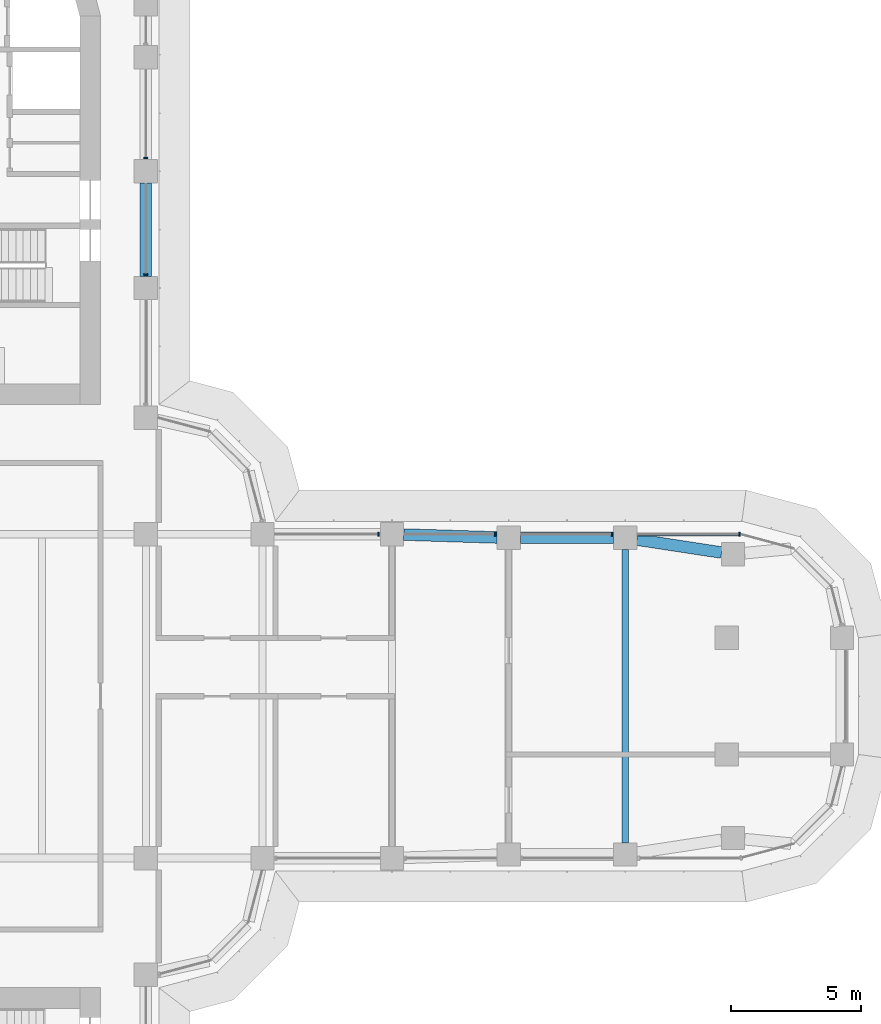
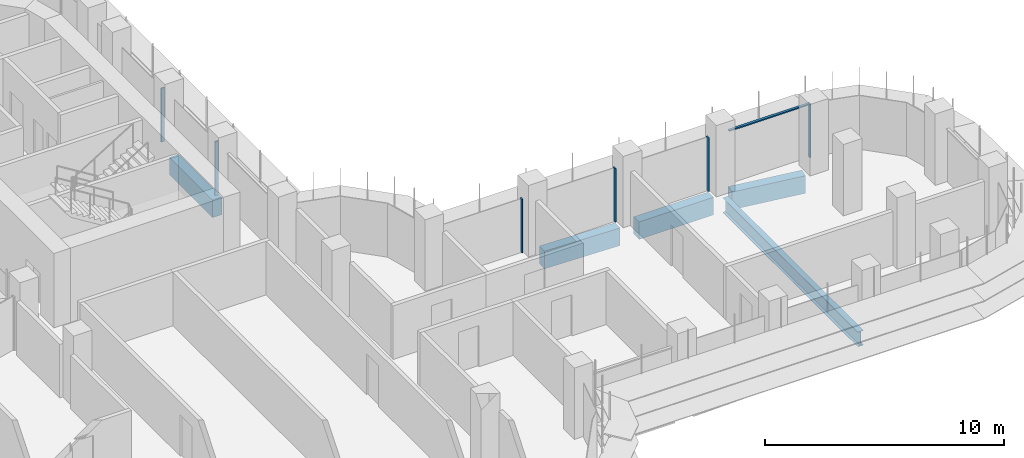
# One storey, part 9 of 23: 7 members, 5 beams, 2 elements without a shape of their own.
"""IFC4 building model written with IfcOpenShell, lengths in metres."""

from ifc_helpers import new_model, si_unit, direction, frame, origin, origin_2d, place, context, subcontext, project, spatial, polyline, rectangle, i_section, outline, extrude, source, transform, mapped, material, material_profile, profile_set, type_object, element, aggregate, save


model = new_model("IFC4")

# Units and contexts
model_context = context("Model", 3, precision=1e-05, world=origin(), true_north=direction((0.0, 1.0)))
body_context = subcontext(model_context, "Body", "Model", "MODEL_VIEW")
ifc_project = project(units=[si_unit("LENGTHUNIT", "METRE"), si_unit("AREAUNIT", "SQUARE_METRE"), si_unit("VOLUMEUNIT", "CUBIC_METRE"), si_unit("PLANEANGLEUNIT", "RADIAN"), si_unit("MASSUNIT", "GRAM", prefix="KILO")], contexts=[model_context])

# Site, building, storey
site_placement = place(None, origin())
site = spatial("IfcSite", under=ifc_project, at=site_placement, CompositionType="ELEMENT")
building_placement = place(site_placement, origin())
building = spatial("IfcBuilding", under=site, at=building_placement, Name="Zarbagh Exchange Tower", CompositionType="ELEMENT")
storey_placement = place(building_placement, frame((0.0, 0.0, 86.60009765625)))
storey = spatial("IfcBuildingStorey", under=building, at=storey_placement, Name="L19", CompositionType="ELEMENT", Elevation=86.60009765625)

# Beams
ifc_material_1 = material(Name="Steel ASTM A992 Gr 50", Category="steel")
ifc_material_profile_1 = material_profile(ifc_material_1, i_section(OverallWidth=0.2666015625, OverallDepth=0.7568359375, WebThickness=0.013916015625, FlangeThickness=0.019287109375, at=origin_2d()), Name="W30X108")
ifc_profile_set_1 = profile_set([ifc_material_profile_1], Name="Steel ASTM A992 Gr 50")
beam_type_1 = type_object("IfcBeamType", Name="Floor beam W30X108", PredefinedType="BEAM", material=ifc_profile_set_1)
beam_1_placement = place(storey_placement, frame((24.75, -5.659912109375, -0.528564453125), z_axis=(0.0, 1.0, 0.0), x_axis=(-1.0, 0.0, 0.0)))
element("IfcBeam", 1, at=beam_1_placement, inside=storey, type_object=beam_type_1, Name="Steel floor beam", PredefinedType="BEAM", context=body_context, shape_type="SweptSolid", body=[
    extrude(i_section(OverallWidth=0.2666015625, OverallDepth=0.7568359375, WebThickness=0.013916015625, FlangeThickness=0.019287109375, at=origin_2d()), origin(), (0.0, 0.0, 1.0), 11.31982421875),
])
ifc_material_2 = material(Name="Concrete C60/75", Category="concrete")
ifc_material_profile_2 = material_profile(ifc_material_2, rectangle(XDim=0.449951171875, YDim=0.89990234375, at=origin_2d()), Name="RC spandrel beam 450 x 900 C60/75")
ifc_profile_set_2 = profile_set([ifc_material_profile_2], Name="Concrete C60/75")
beam_type_2 = type_object("IfcBeamType", Name="RC spandrel beam 450 x 900 C60/75", PredefinedType="SPANDREL", material=ifc_profile_set_2)
beam_2_placement = place(storey_placement, frame((6.25, 19.800048828125, -0.60009765625), z_axis=(0.0, -1.0, 0.0), x_axis=(1.0, 0.0, 0.0)))
element("IfcBeam", 2, at=beam_2_placement, inside=storey, type_object=beam_type_2, Name="RC spandrel beam", PredefinedType="SPANDREL", context=body_context, shape_type="SweptSolid", body=[
    extrude(rectangle(XDim=0.449951171875, YDim=0.89990234375, at=origin_2d()), origin(), (0.0, 0.0, 1.0), 3.60009765625),
])
beam_3_placement = place(storey_placement, frame((16.19970703125, 6.236083984375, -0.60009765625), z_axis=(0.999516035224, -0.031107801747, 0.0), x_axis=(0.031107801747, 0.999516035224, 0.0)))
element("IfcBeam", 3, at=beam_3_placement, inside=storey, type_object=beam_type_2, Name="RC spandrel beam", PredefinedType="SPANDREL", context=body_context, shape_type="SweptSolid", body=[
    extrude(rectangle(XDim=0.449951171875, YDim=0.89990234375, at=origin_2d()), origin(), (0.0, 0.0, 1.0), 3.602294921875),
])
beam_4_placement = place(storey_placement, frame((20.699951171875, 6.110107421875, -0.60009765625), z_axis=(1.0, 0.0, 0.0), x_axis=(0.0, 1.0, 0.0)))
element("IfcBeam", 4, at=beam_4_placement, inside=storey, type_object=beam_type_2, Name="RC spandrel beam", PredefinedType="SPANDREL", context=body_context, shape_type="SweptSolid", body=[
    extrude(rectangle(XDim=0.449951171875, YDim=0.89990234375, at=origin_2d()), origin(), (0.0, 0.0, 1.0), 3.60009765625),
])
beam_5_placement = place(storey_placement, frame((25.19482421875, 6.0419921875, -0.60009765625), z_axis=(0.988543505948, -0.150936201252, 0.0), x_axis=(0.150936201252, 0.988543505948, 0.0)))
element("IfcBeam", 5, at=beam_5_placement, inside=storey, type_object=beam_type_2, Name="RC spandrel beam", PredefinedType="SPANDREL", context=body_context, shape_type="SweptSolid", body=[
    extrude(rectangle(XDim=0.449951171875, YDim=0.89990234375, at=origin_2d()), origin(), (0.0, 0.0, 1.0), 3.30615234375),
])

# Curtain wall, members
ifc_material_3 = material(Name="Anodised aluminium frame and glazing", Category="aluminium")
curtain_wall_type = type_object("IfcCurtainWallType", Name="CWA Ribbon glazing, lower zones", PredefinedType="NOTDEFINED", material=ifc_material_3)
curtain_wall_1_placement = place(storey_placement, origin())
curtain_wall_1 = element("IfcCurtainWall", 6, at=curtain_wall_1_placement, inside=storey, type_object=curtain_wall_type, Name="CWA16 curtain wall", PredefinedType="NOTDEFINED")
ifc_material_4 = material(Name="Anodised aluminium frame", Category="aluminium")
member_type_1 = type_object("IfcMemberType", Name="MUA Mullion, anodised aluminium frame", PredefinedType="MULLION", material=ifc_material_4)
shared_shape_1 = source(origin(), body_context, "Body", "SweptSolid", [
    extrude(outline(polyline([(0.0, -0.080078125), (0.06005859375, -0.080078125), (0.06005859375, 0.080078125), (0.0, 0.080078125), (0.0, -0.080078125)])), origin(), (0.0, 0.0, 1.0), 2.75),
])
placement = place(storey_placement, origin())
member_1 = element("IfcMember", 7, at=placement, type_object=member_type_1, Name="CWA16 mullion 1.1", PredefinedType="MULLION", context=body_context, shape_type="MappedRepresentation", body=[
    mapped(shared_shape_1, transform((29.18408203125, 6.25, 0.0), x_axis=(-1.0, 0.0, 0.0), y_axis=(0.0, -1.0, 0.0), z_axis=(0.0, 0.0, 1.0))),
])
member_2 = element("IfcMember", 8, at=placement, type_object=member_type_1, Name="CWA16 mullion 2.1", PredefinedType="MULLION", context=body_context, shape_type="MappedRepresentation", body=[
    mapped(shared_shape_1, transform((24.260009765625, 6.25, 0.0), x_axis=(-1.0, 0.0, 0.0), y_axis=(0.0, -1.0, 0.0), z_axis=(0.0, 0.0, 1.0))),
])
member_3 = element("IfcMember", 9, at=placement, type_object=member_type_1, Name="CWA16 mullion 3.1", PredefinedType="MULLION", context=body_context, shape_type="MappedRepresentation", body=[
    mapped(shared_shape_1, transform((19.760009765625, 6.25, 0.0), x_axis=(-1.0, 0.0, 0.0), y_axis=(0.0, -1.0, 0.0), z_axis=(0.0, 0.0, 1.0))),
])
member_4 = element("IfcMember", 10, at=placement, type_object=member_type_1, Name="CWA16 mullion 4.1", PredefinedType="MULLION", context=body_context, shape_type="MappedRepresentation", body=[
    mapped(shared_shape_1, transform((15.260009765625, 6.25, 0.0), x_axis=(-1.0, 0.0, 0.0), y_axis=(0.0, -1.0, 0.0), z_axis=(0.0, 0.0, 1.0))),
])

curtain_wall_2_placement = place(storey_placement, origin())
curtain_wall_2 = element("IfcCurtainWall", 11, at=curtain_wall_2_placement, inside=storey, type_object=curtain_wall_type, Name="CWA20 curtain wall", PredefinedType="NOTDEFINED")
member_5 = element("IfcMember", 12, at=placement, type_object=member_type_1, Name="CWA20 mullion 2.1", PredefinedType="MULLION", context=body_context, shape_type="MappedRepresentation", body=[
    mapped(shared_shape_1, transform((6.25, 16.239990234375, 0.0), x_axis=(0.0, 1.0, 0.0), y_axis=(-1.0, 0.0, 0.0), z_axis=(0.0, 0.0, 1.0))),
])
member_6 = element("IfcMember", 13, at=placement, type_object=member_type_1, Name="CWA20 mullion 3.1", PredefinedType="MULLION", context=body_context, shape_type="MappedRepresentation", body=[
    mapped(shared_shape_1, transform((6.25, 20.739990234375, 0.0), x_axis=(0.0, 1.0, 0.0), y_axis=(-1.0, 0.0, 0.0), z_axis=(0.0, 0.0, 1.0))),
])
aggregate(curtain_wall_2, [member_5, member_6])

# Member
member_type_2 = type_object("IfcMemberType", Name="TRA Transom, anodised aluminium frame", PredefinedType="USERDEFINED", material=ifc_material_4)
shared_shape_2 = source(origin(), body_context, "Body", "SweptSolid", [
    extrude(outline(polyline([(-0.06005859375, -0.06005859375), (0.0, -0.06005859375), (0.0, 0.06005859375), (-0.06005859375, 0.06005859375), (-0.06005859375, -0.06005859375)])), origin(), (0.0, 0.0, 1.0), 3.88427734375),
])
member_7 = element("IfcMember", 14, at=placement, type_object=member_type_2, Name="CWA16 transom 1.1", ObjectType="TRANSOM", PredefinedType="USERDEFINED", context=body_context, shape_type="MappedRepresentation", body=[
    mapped(shared_shape_2, transform((29.124267578125, 6.25, 2.75), x_axis=(0.0, 0.0, 1.0), y_axis=(0.0, 1.0, 0.0), z_axis=(-1.0, 0.0, 0.0))),
])

aggregate(curtain_wall_1, [member_1, member_7, member_2, member_3, member_4])

save(model, "model.ifc")
